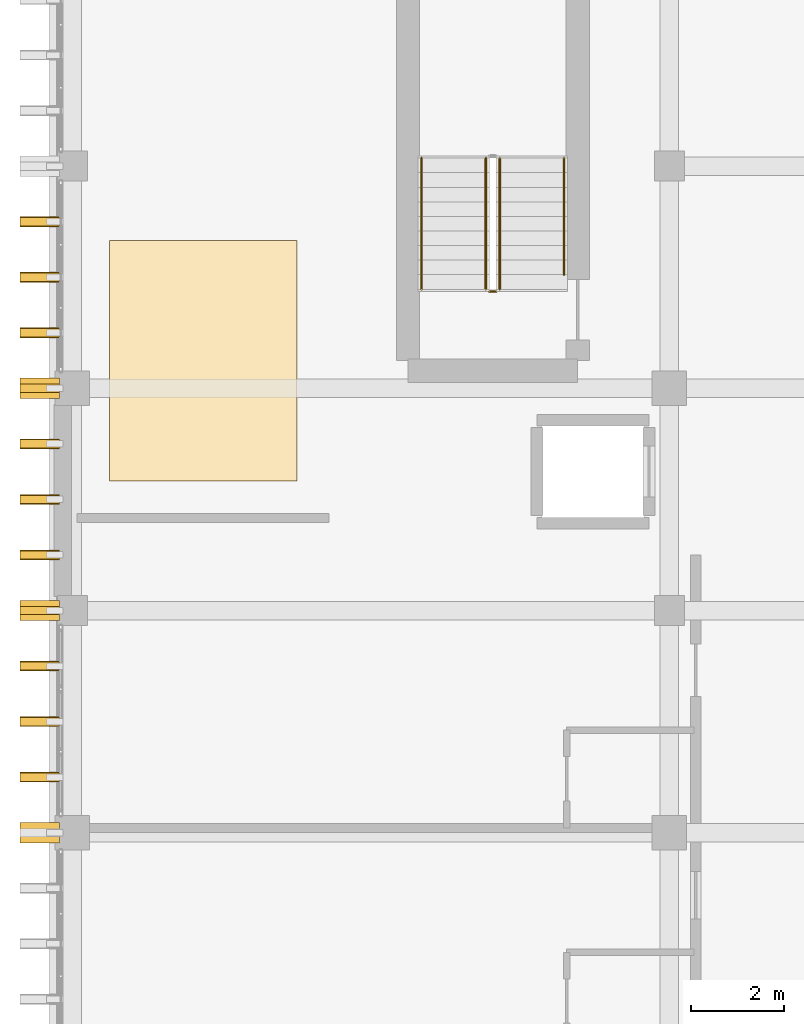
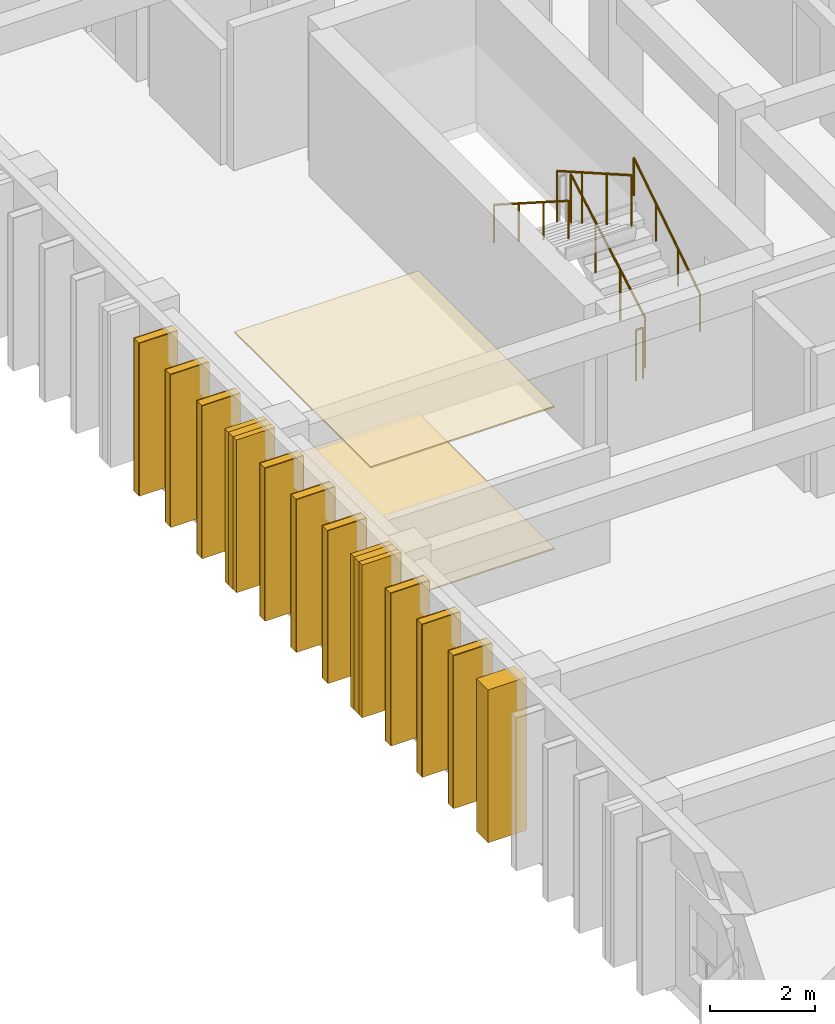
# One storey, part 59 of 64: 14 coverings, 11 shading devices, 5 railings.
"""IFC4 building model written with IfcOpenShell, lengths in metres."""

from ifc_helpers import new_model, si_unit, direction, frame, origin, origin_2d, place, context, subcontext, project, spatial, polyline, rectangle, circle, outline, extrude, material, layer, layer_set, type_object, element, save


model = new_model("IFC4")

# Units and contexts
model_context = context("Model", 3, precision=1e-05, world=origin(), true_north=direction((0.0, 1.0)))
body_context = subcontext(model_context, "Body", "Model", "MODEL_VIEW")
ifc_project = project(units=[si_unit("LENGTHUNIT", "METRE"), si_unit("AREAUNIT", "SQUARE_METRE"), si_unit("VOLUMEUNIT", "CUBIC_METRE"), si_unit("PLANEANGLEUNIT", "RADIAN"), si_unit("MASSUNIT", "GRAM", prefix="KILO")], contexts=[model_context])

# Site, building, storey
site_placement = place(None, origin())
site = spatial("IfcSite", under=ifc_project, at=site_placement, CompositionType="ELEMENT")
building_placement = place(site_placement, origin())
building = spatial("IfcBuilding", under=site, at=building_placement, Name="Nakhvara Creek Congress Hotel", CompositionType="ELEMENT")
storey_placement = place(building_placement, frame((0.0, 0.0, 28.199951171875)))
storey = spatial("IfcBuildingStorey", under=building, at=storey_placement, Name="L06", CompositionType="ELEMENT", Elevation=28.199951171875)

# Coverings
ifc_material_1 = material(Name="Acoustic mineral-fibre and gypsum ceiling board")
ifc_layer_1 = layer(ifc_material_1, 0.0400390625)
ifc_layer_set_1 = layer_set([ifc_layer_1], Name="Acoustic mineral-fibre and gypsum ceiling board")
covering_type_1 = type_object("IfcCoveringType", Name="COV-CEIL-AC", PredefinedType="CEILING", material=ifc_layer_set_1)
covering_1_placement = place(storey_placement, frame((0.0, 0.0, 3.304931640625)))
element("IfcCovering", 1, at=covering_1_placement, inside=storey, type_object=covering_type_1, Name="Acoustic Ceiling L06-WSV-01", PredefinedType="CEILING", context=body_context, shape_type="SweptSolid", body=[
    extrude(outline(polyline([(150.25, 74.800048828125), (154.300048828125, 74.800048828125), (154.300048828125, 80.0), (150.25, 80.0), (150.25, 74.800048828125)])), origin(), (0.0, 0.0, 1.0), 0.03515625),
])
ifc_material_2 = material(Name="Honed pale Omani limestone architectural cladding", Category="masonry")
ifc_layer_2 = layer(ifc_material_2, 0.219970703125)
ifc_layer_set_2 = layer_set([ifc_layer_2], Name="Honed pale Omani limestone architectural cladding")
covering_type_2 = type_object("IfcCoveringType", Name="COV-FIN-850", PredefinedType="CLADDING", material=ifc_layer_set_2)
covering_2_placement = place(storey_placement, frame((148.7451171875, 67.199951171875, 0.0), z_axis=(0.0, 0.0, 1.0), x_axis=(0.0, 1.0, 0.0)))
element("IfcCovering", 2, at=covering_2_placement, inside=storey, type_object=covering_type_2, Name="Pale Limestone Fin Cladding CF01-1665", PredefinedType="CLADDING", context=body_context, shape_type="SweptSolid", body=[
    extrude(rectangle(XDim=0.43994140625, YDim=0.85009765625, at=origin_2d()), origin(), (0.0, 0.0, 1.0), 3.56005859375),
])
for number, where, z_axis, x_axis, name in (
    (3, (148.7451171875, 68.39990234375, 0.0), (0.0, 0.0, 1.0), (0.0, 1.0, 0.0), "Pale Limestone Fin Cladding CF01-1667"),
    (4, (148.7451171875, 69.60009765625, 0.0), (0.0, 0.0, 1.0), (0.0, 1.0, 0.0), "Pale Limestone Fin Cladding CF01-1669"),
    (5, (148.7451171875, 70.800048828125, 0.0), (0.0, 0.0, 1.0), (0.0, 1.0, 0.0), "Pale Limestone Fin Cladding CF01-1671"),
):
    element("IfcCovering", number, at=place(storey_placement, frame(where, z_axis=z_axis, x_axis=x_axis)), inside=storey, type_object=covering_type_2, Name=name, PredefinedType="CLADDING", context=body_context, shape_type="SweptSolid", body=[
        extrude(rectangle(XDim=0.219970703125, YDim=0.85009765625, at=origin_2d()), origin(), (0.0, 0.0, 1.0), 3.56005859375),
    ])
covering_3_placement = place(storey_placement, frame((148.7451171875, 72.0, 0.0), z_axis=(0.0, 0.0, 1.0), x_axis=(0.0, 1.0, 0.0)))
element("IfcCovering", 6, at=covering_3_placement, inside=storey, type_object=covering_type_2, Name="Pale Limestone Fin Cladding CF01-1673", PredefinedType="CLADDING", context=body_context, shape_type="SweptSolid", body=[
    extrude(rectangle(XDim=0.43994140625, YDim=0.85009765625, at=origin_2d()), origin(), (0.0, 0.0, 1.0), 3.56005859375),
])
for number, where, z_axis, x_axis, name in (
    (7, (148.7451171875, 73.199951171875, 0.0), (0.0, 0.0, 1.0), (0.0, 1.0, 0.0), "Pale Limestone Fin Cladding CF01-1675"),
    (8, (148.7451171875, 74.39990234375, 0.0), (0.0, 0.0, 1.0), (0.0, 1.0, 0.0), "Pale Limestone Fin Cladding CF01-1677"),
    (9, (148.7451171875, 75.60009765625, 0.0), (0.0, 0.0, 1.0), (0.0, 1.0, 0.0), "Pale Limestone Fin Cladding CF01-1679"),
):
    element("IfcCovering", number, at=place(storey_placement, frame(where, z_axis=z_axis, x_axis=x_axis)), inside=storey, type_object=covering_type_2, Name=name, PredefinedType="CLADDING", context=body_context, shape_type="SweptSolid", body=[
        extrude(rectangle(XDim=0.219970703125, YDim=0.85009765625, at=origin_2d()), origin(), (0.0, 0.0, 1.0), 3.56005859375),
    ])
covering_4_placement = place(storey_placement, frame((148.7451171875, 76.800048828125, 0.0), z_axis=(0.0, 0.0, 1.0), x_axis=(0.0, 1.0, 0.0)))
element("IfcCovering", 10, at=covering_4_placement, inside=storey, type_object=covering_type_2, Name="Pale Limestone Fin Cladding CF01-1681", PredefinedType="CLADDING", context=body_context, shape_type="SweptSolid", body=[
    extrude(rectangle(XDim=0.43994140625, YDim=0.85009765625, at=origin_2d()), origin(), (0.0, 0.0, 1.0), 3.56005859375),
])
for number, where, z_axis, x_axis, name in (
    (11, (148.7451171875, 78.0, 0.0), (0.0, 0.0, 1.0), (0.0, 1.0, 0.0), "Pale Limestone Fin Cladding CF01-1683"),
    (12, (148.7451171875, 79.199951171875, 0.0), (0.0, 0.0, 1.0), (0.0, 1.0, 0.0), "Pale Limestone Fin Cladding CF01-1684"),
    (13, (148.7451171875, 80.39990234375, 0.0), (0.0, 0.0, 1.0), (0.0, 1.0, 0.0), "Pale Limestone Fin Cladding CF01-1686"),
):
    element("IfcCovering", number, at=place(storey_placement, frame(where, z_axis=z_axis, x_axis=x_axis)), inside=storey, type_object=covering_type_2, Name=name, PredefinedType="CLADDING", context=body_context, shape_type="SweptSolid", body=[
        extrude(rectangle(XDim=0.219970703125, YDim=0.85009765625, at=origin_2d()), origin(), (0.0, 0.0, 1.0), 3.56005859375),
    ])
ifc_material_3 = material(Name="Honed limestone and terrazzo acoustic floor finish", Category="masonry")
ifc_layer_3 = layer(ifc_material_3, 0.044921875)
ifc_layer_set_3 = layer_set([ifc_layer_3], Name="Honed limestone and terrazzo acoustic floor finish")
covering_type_3 = type_object("IfcCoveringType", Name="COV-FLR-TER", PredefinedType="FLOORING", material=ifc_layer_set_3)
covering_5_placement = place(storey_placement, origin())
element("IfcCovering", 14, at=covering_5_placement, inside=storey, type_object=covering_type_3, Name="Floor Finish L06-WSV-01", PredefinedType="FLOORING", context=body_context, shape_type="SweptSolid", body=[
    extrude(outline(polyline([(150.25, 74.800048828125), (154.300048828125, 74.800048828125), (154.300048828125, 80.0), (150.25, 80.0), (150.25, 74.800048828125)])), origin(), (0.0, 0.0, 1.0), 0.030029296875),
])

# Railings
ifc_material_4 = material(Name="Brushed stainless steel 316L", Category="steel")
railing_type_1 = type_object("IfcRailingType", Name="RL-GUARD-1200", PredefinedType="GUARDRAIL", material=ifc_material_4)
railing_1_placement = place(storey_placement, frame((158.68505859375, 78.93994140625, 0.179931640625)))
element("IfcRailing", 15, at=railing_1_placement, inside=storey, type_object=railing_type_1, Name="L06 ST01 stair guard 1", PredefinedType="GUARDRAIL", context=body_context, shape_type="SweptSolid", body=[
    extrude(circle(Radius=0.02392578125, at=origin_2d()), frame((0.0, 0.0126953125, 1.18310546875), z_axis=(0.0, 0.868224736699, 0.496171146464), x_axis=(-1.0, 0.0, 0.0)), (0.0, 0.0, 1.0), 3.23583984375),
    extrude(circle(Radius=0.02099609375, at=origin_2d()), origin(), (0.0, 0.0, 1.0), 1.1806640625),
    extrude(circle(Radius=0.02099609375, at=origin_2d()), frame((0.0, 0.945068359375, 0.5400390625)), (0.0, 0.0, 1.0), 1.1806640625),
    extrude(circle(Radius=0.02099609375, at=origin_2d()), frame((0.0, 1.889892578125, 1.080078125)), (0.0, 0.0, 1.0), 1.1806640625),
    extrude(circle(Radius=0.02099609375, at=origin_2d()), frame((0.0, 2.8349609375, 1.6201171875)), (0.0, 0.0, 1.0), 1.1806640625),
])
railing_2_placement = place(storey_placement, frame((158.385009765625, 81.77490234375, 1.97998046875)))
element("IfcRailing", 16, at=railing_2_placement, inside=storey, type_object=railing_type_1, Name="L06 ST01 stair guard 3", PredefinedType="GUARDRAIL", context=body_context, shape_type="SweptSolid", body=[
    extrude(circle(Radius=0.02392578125, at=origin_2d()), frame((0.0, -0.0126953125, 1.18310546875), z_axis=(0.0, -0.868224736699, 0.496171146464), x_axis=(1.0, 0.0, 0.0)), (0.0, 0.0, 1.0), 3.23583984375),
    extrude(circle(Radius=0.02099609375, at=origin_2d()), origin(), (0.0, 0.0, 1.0), 1.1806640625),
    extrude(circle(Radius=0.02099609375, at=origin_2d()), frame((0.0, -0.945068359375, 0.5400390625)), (0.0, 0.0, 1.0), 1.1806640625),
    extrude(circle(Radius=0.02099609375, at=origin_2d()), frame((0.0, -1.889892578125, 1.080078125)), (0.0, 0.0, 1.0), 1.1806640625),
    extrude(circle(Radius=0.02099609375, at=origin_2d()), frame((0.0, -2.8349609375, 1.6201171875)), (0.0, 0.0, 1.0), 1.1806640625),
])
railing_3_placement = place(storey_placement, frame((158.610107421875, 78.889892578125, 0.0)))
element("IfcRailing", 17, at=railing_3_placement, inside=storey, type_object=railing_type_1, Name="L06 ST01 stair guard 4", PredefinedType="GUARDRAIL", context=body_context, shape_type="SweptSolid", body=[
    extrude(circle(Radius=0.02392578125, at=origin_2d()), frame((-0.0146484375, 0.0, 1.17578125), z_axis=(-1.0, 0.0, 0.0), x_axis=(0.0, -1.0, 0.0)), (0.0, 0.0, 1.0), 0.120849609375),
    extrude(circle(Radius=0.02099609375, at=origin_2d()), origin(), (0.0, 0.0, 1.0), 1.1806640625),
    extrude(circle(Radius=0.02099609375, at=origin_2d()), frame((-0.150146484375, 0.0, 0.0)), (0.0, 0.0, 1.0), 1.1806640625),
])
railing_type_2 = type_object("IfcRailingType", Name="RL-HAND-900", PredefinedType="HANDRAIL", material=ifc_material_4)
railing_4_placement = place(storey_placement, frame((160.074951171875, 79.2548828125, 0.360107421875)))
element("IfcRailing", 18, at=railing_4_placement, inside=storey, type_object=railing_type_2, Name="L06 ST01 stair handrail 1", PredefinedType="HANDRAIL", context=body_context, shape_type="SweptSolid", body=[
    extrude(circle(Radius=0.02392578125, at=origin_2d()), frame((0.0, 0.012451171875, 0.8837890625), z_axis=(0.0, 0.839530876525, 0.54331197977), x_axis=(-1.0, 0.0, 0.0)), (0.0, 0.0, 1.0), 2.972412109375),
    extrude(circle(Radius=0.02099609375, at=origin_2d()), origin(), (0.0, 0.0, 1.0), 0.880615234375),
    extrude(circle(Radius=0.02099609375, at=origin_2d()), frame((0.0, 0.840087890625, 0.543701171875)), (0.0, 0.0, 1.0), 0.880615234375),
    extrude(circle(Radius=0.02099609375, at=origin_2d()), frame((0.0, 1.679931640625, 1.087158203125)), (0.0, 0.0, 1.0), 0.880615234375),
    extrude(circle(Radius=0.02099609375, at=origin_2d()), frame((0.0, 2.52001953125, 1.630859375)), (0.0, 0.0, 1.0), 0.880615234375),
])
railing_5_placement = place(storey_placement, frame((156.9951171875, 81.77490234375, 1.97998046875)))
element("IfcRailing", 19, at=railing_5_placement, inside=storey, type_object=railing_type_2, Name="L06 ST01 stair handrail 2", PredefinedType="HANDRAIL", context=body_context, shape_type="SweptSolid", body=[
    extrude(circle(Radius=0.02392578125, at=origin_2d()), frame((0.0, -0.012451171875, 0.8837890625), z_axis=(0.0, -0.842721868308, 0.538349192138), x_axis=(1.0, 0.0, 0.0)), (0.0, 0.0, 1.0), 3.334716796875),
    extrude(circle(Radius=0.02099609375, at=origin_2d()), origin(), (0.0, 0.0, 1.0), 0.880615234375),
    extrude(circle(Radius=0.02099609375, at=origin_2d()), frame((0.0, -0.945068359375, 0.603759765625)), (0.0, 0.0, 1.0), 0.880615234375),
    extrude(circle(Radius=0.02099609375, at=origin_2d()), frame((0.0, -1.889892578125, 1.207275390625)), (0.0, 0.0, 1.0), 0.880615234375),
    extrude(circle(Radius=0.02099609375, at=origin_2d()), frame((0.0, -2.8349609375, 1.81103515625)), (0.0, 0.0, 1.0), 0.880615234375),
])

# Shading devices
ifc_material_5 = material(Name="Honed pale Omani limestone cladding on stainless steel spine", Category="masonry")
shading_device_type = type_object("IfcShadingDeviceType", Name="SHD-FIN-850X3600", PredefinedType="USERDEFINED", material=ifc_material_5)
for number, where, z_axis, x_axis, name in (
    (20, (148.7451171875, 68.39990234375, 0.0), (0.0, 0.0, 1.0), (0.0, 1.0, 0.0), "Limestone Solar Fin FN01-1532"),
    (21, (148.7451171875, 69.60009765625, 0.0), (0.0, 0.0, 1.0), (0.0, 1.0, 0.0), "Limestone Solar Fin FN01-1534"),
    (22, (148.7451171875, 70.800048828125, 0.0), (0.0, 0.0, 1.0), (0.0, 1.0, 0.0), "Limestone Solar Fin FN01-1536"),
    (23, (148.7451171875, 72.0, 0.0), (0.0, 0.0, 1.0), (0.0, 1.0, 0.0), "Limestone Solar Fin FN01-1538"),
    (24, (148.7451171875, 73.199951171875, 0.0), (0.0, 0.0, 1.0), (0.0, 1.0, 0.0), "Limestone Solar Fin FN01-1540"),
    (25, (148.7451171875, 74.39990234375, 0.0), (0.0, 0.0, 1.0), (0.0, 1.0, 0.0), "Limestone Solar Fin FN01-1542"),
    (26, (148.7451171875, 75.60009765625, 0.0), (0.0, 0.0, 1.0), (0.0, 1.0, 0.0), "Limestone Solar Fin FN01-1544"),
    (27, (148.7451171875, 76.800048828125, 0.0), (0.0, 0.0, 1.0), (0.0, 1.0, 0.0), "Limestone Solar Fin FN01-1546"),
    (28, (148.7451171875, 78.0, 0.0), (0.0, 0.0, 1.0), (0.0, 1.0, 0.0), "Limestone Solar Fin FN01-1548"),
    (29, (148.7451171875, 79.199951171875, 0.0), (0.0, 0.0, 1.0), (0.0, 1.0, 0.0), "Limestone Solar Fin FN01-1549"),
    (30, (148.7451171875, 80.39990234375, 0.0), (0.0, 0.0, 1.0), (0.0, 1.0, 0.0), "Limestone Solar Fin FN01-1551"),
):
    element("IfcShadingDevice", number, at=place(storey_placement, frame(where, z_axis=z_axis, x_axis=x_axis)), inside=storey, type_object=shading_device_type, Name=name, ObjectType="FIN", PredefinedType="USERDEFINED", context=body_context, shape_type="SweptSolid", body=[
        extrude(rectangle(XDim=0.179931640625, YDim=0.85009765625, at=origin_2d()), origin(), (0.0, 0.0, 1.0), 3.56005859375),
    ])

save(model, "model.ifc")
